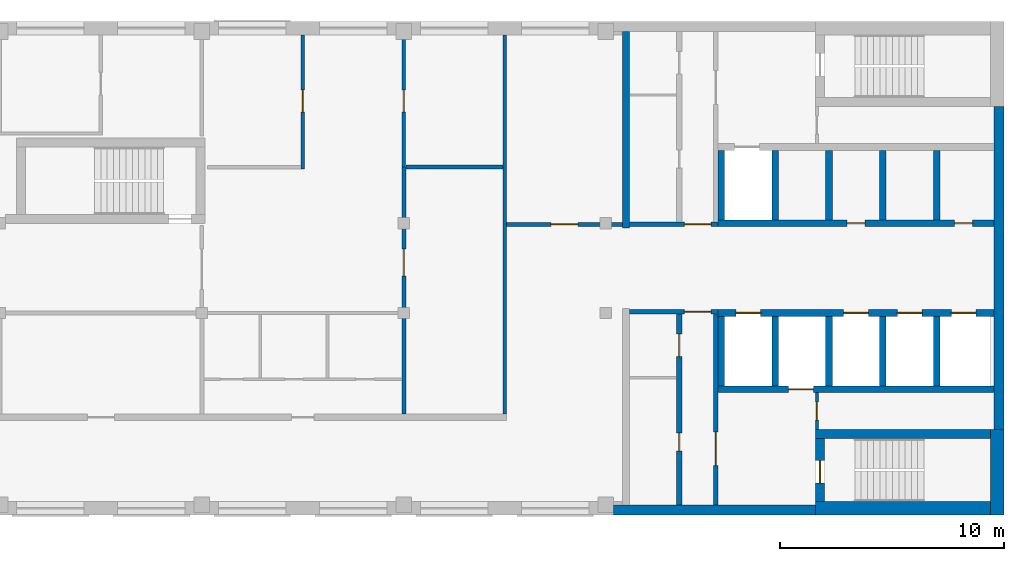
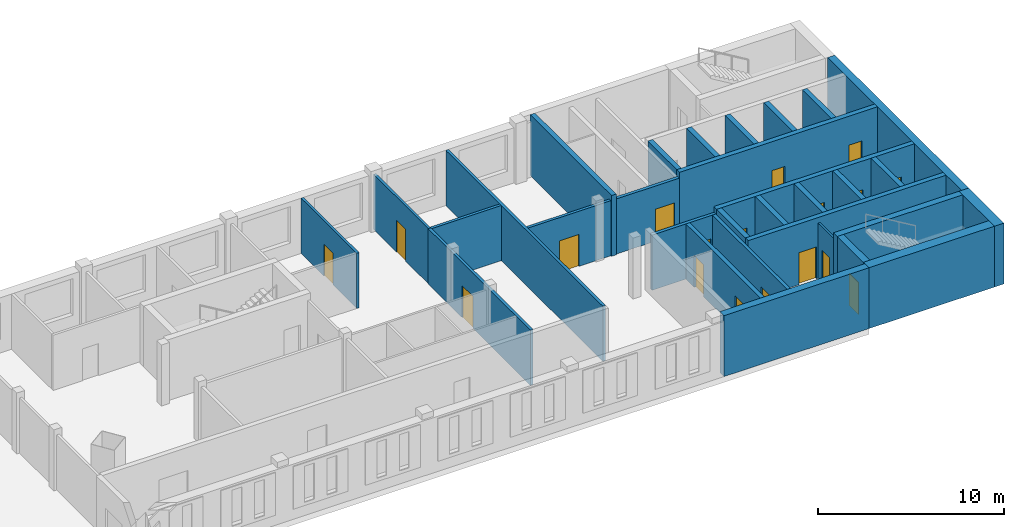
# One storey, part 3 of 5: 31 walls, 18 doors, 18 openings.
"""IFC4 building model written with IfcOpenShell, lengths in metres."""

from ifc_helpers import new_model, si_unit, direction, frame, frame_2d, origin, place, context, subcontext, project, spatial, rectangle, extrude, material, layer, layer_set, type_object, element, fill, save


model = new_model("IFC4")

# Units and contexts
model_context = context("Model", 3, precision=1e-05, world=origin(), true_north=direction((0.0, 1.0)))
body_context = subcontext(model_context, "Body", "Model", "MODEL_VIEW")
ifc_project = project(units=[si_unit("LENGTHUNIT", "METRE"), si_unit("AREAUNIT", "SQUARE_METRE"), si_unit("VOLUMEUNIT", "CUBIC_METRE"), si_unit("PLANEANGLEUNIT", "RADIAN"), si_unit("MASSUNIT", "GRAM", prefix="KILO")], contexts=[model_context])

# Site, building, storey
site_placement = place(None, origin())
site = spatial("IfcSite", under=ifc_project, at=site_placement, CompositionType="ELEMENT")
building_placement = place(site_placement, origin())
building = spatial("IfcBuilding", under=site, at=building_placement, Name="Skarvind Civic Tower", CompositionType="ELEMENT")
storey_placement = place(building_placement, frame((0.0, 0.0, 261.5)))
storey = spatial("IfcBuildingStorey", under=building, at=storey_placement, Name="L62", CompositionType="ELEMENT", Elevation=261.5)

# Wall, opening, door
ifc_material_1 = material(Name="Acoustic gypsum board on steel studs", Category="steel")
ifc_layer_1 = layer(ifc_material_1, 0.175048828125)
ifc_layer_set_1 = layer_set([ifc_layer_1], Name="ACOUSTIC MEETING-ROOM PARTITION 175")
wall_type_1 = type_object("IfcWallType", Name="ACOUSTIC MEETING-ROOM PARTITION 175", PredefinedType="PARTITIONING", material=ifc_layer_set_1)
wall_1_placement = place(storey_placement, frame((81.25, 132.5, 0.0), z_axis=(0.0, 0.0, 1.0), x_axis=(0.0, -1.0, 0.0)))
wall_1 = element("IfcWall", 1, at=wall_1_placement, inside=storey, type_object=wall_type_1, Name="Partition 62.019", PredefinedType="PARTITIONING", context=body_context, shape_type="SweptSolid", body=[
    extrude(rectangle(XDim=11.0, YDim=0.175048828125, at=frame_2d((5.5, 0.0))), origin(), (0.0, 0.0, 1.0), 3.625),
])
opening_1_placement = place(wall_1_placement, frame((3.651611328125, 0.0, 0.0)))
opening_1 = element("IfcOpeningElement", 2, at=opening_1_placement, cuts=wall_1, Name="Opening L62-D014", PredefinedType="OPENING", context=body_context, shape_type="SweptSolid", body=[
    extrude(rectangle(XDim=1.199951171875, YDim=2.10009765625, at=frame_2d((0.60009765625, 1.050048828125))), frame((0.0, 0.097412109375, 0.0), z_axis=(0.0, -1.0, 0.0), x_axis=(1.0, 0.0, 0.0)), (0.0, 0.0, 1.0), 0.195068359375),
])
ifc_material_2 = material(Name="Timber door leaf", Category="wood")
door_type_1 = type_object("IfcDoorType", Name="DOOR 1200X2100 DOUBLE TIMBER", OperationType="NOTDEFINED", PredefinedType="DOOR", material=ifc_material_2)
door_1_placement = place(opening_1_placement, origin())
door_1 = element("IfcDoor", 3, at=door_1_placement, inside=storey, type_object=door_type_1, Name="Door L62-D014", OperationType="DOUBLE_DOOR_SINGLE_SWING", OverallHeight=2.10009765625, OverallWidth=1.199951171875, PredefinedType="DOOR", context=body_context, shape_type="SweptSolid", body=[
    extrude(rectangle(XDim=1.199951171875, YDim=2.10009765625, at=frame_2d((0.60009765625, 1.050048828125))), frame((0.0, 0.02490234375, 0.0), z_axis=(0.0, -1.0, 0.0), x_axis=(1.0, 0.0, 0.0)), (0.0, 0.0, 1.0), 0.050048828125),
])
fill(opening_1, door_1)

# Walls
wall_2_placement = place(storey_placement, frame((85.75, 121.5, 0.0), z_axis=(0.0, 0.0, 1.0), x_axis=(0.0, 1.0, 0.0)))
element("IfcWall", 4, at=wall_2_placement, inside=storey, type_object=wall_type_1, Name="Partition 62.021", PredefinedType="PARTITIONING", context=body_context, shape_type="SweptSolid", body=[
    extrude(rectangle(XDim=16.89990234375, YDim=0.175048828125, at=frame_2d((8.449951171875, 0.0))), origin(), (0.0, 0.0, 1.0), 3.625),
])
wall_3_placement = place(storey_placement, frame((85.662109375, 132.5, 0.0), z_axis=(0.0, 0.0, 1.0), x_axis=(-1.0, 0.0, 0.0)))
element("IfcWall", 5, at=wall_3_placement, inside=storey, type_object=wall_type_1, Name="Partition 62.022", PredefinedType="PARTITIONING", context=body_context, shape_type="SweptSolid", body=[
    extrude(rectangle(XDim=4.32421875, YDim=0.175048828125, at=frame_2d((2.162109375, 0.0))), origin(), (0.0, 0.0, 1.0), 3.625),
])

# Wall, opening, door
wall_4_placement = place(storey_placement, frame((85.837890625, 129.949951171875, 0.0), z_axis=(0.0, 0.0, 1.0), x_axis=(1.0, 0.0, 0.0)))
wall_4 = element("IfcWall", 6, at=wall_4_placement, inside=storey, type_object=wall_type_1, Name="Partition 62.023", PredefinedType="PARTITIONING", context=body_context, shape_type="SweptSolid", body=[
    extrude(rectangle(XDim=5.162109375, YDim=0.175048828125, at=frame_2d((2.5810546875, 0.0))), origin(), (0.0, 0.0, 1.0), 3.625),
])
opening_2_placement = place(wall_4_placement, frame((1.970947265625, 0.0, 0.0)))
opening_2 = element("IfcOpeningElement", 7, at=opening_2_placement, cuts=wall_4, Name="Opening L62-D001", PredefinedType="OPENING", context=body_context, shape_type="SweptSolid", body=[
    extrude(rectangle(XDim=1.199951171875, YDim=2.10009765625, at=frame_2d((0.60009765625, 1.050048828125))), frame((0.0, 0.097412109375, 0.0), z_axis=(0.0, -1.0, 0.0), x_axis=(1.0, 0.0, 0.0)), (0.0, 0.0, 1.0), 0.195068359375),
])
door_2_placement = place(opening_2_placement, origin())
door_2 = element("IfcDoor", 8, at=door_2_placement, inside=storey, type_object=door_type_1, Name="Door L62-D001", OperationType="DOUBLE_DOOR_SINGLE_SWING", OverallHeight=2.10009765625, OverallWidth=1.199951171875, PredefinedType="DOOR", context=body_context, shape_type="SweptSolid", body=[
    extrude(rectangle(XDim=1.199951171875, YDim=2.10009765625, at=frame_2d((0.60009765625, 1.050048828125))), frame((0.0, 0.02490234375, 0.0), z_axis=(0.0, -1.0, 0.0), x_axis=(1.0, 0.0, 0.0)), (0.0, 0.0, 1.0), 0.050048828125),
])
fill(opening_2, door_2)

ifc_material_3 = material(Name="Fire-rated masonry partition", Category="masonry")
ifc_layer_2 = layer(ifc_material_3, 0.199951171875)
ifc_layer_set_2 = layer_set([ifc_layer_2], Name="Core enclosure wall 200")
wall_type_2 = type_object("IfcWallType", Name="Core enclosure wall 200", PredefinedType="PARTITIONING", material=ifc_layer_set_2)
wall_5_placement = place(storey_placement, frame((95.25, 126.050048828125, 0.0), z_axis=(0.0, 0.0, 1.0), x_axis=(-1.0, 0.0, 0.0)))
wall_5 = element("IfcWall", 9, at=wall_5_placement, inside=storey, type_object=wall_type_2, Name="Core wall C1", PredefinedType="PARTITIONING", context=body_context, shape_type="SweptSolid", body=[
    extrude(rectangle(XDim=3.949951171875, YDim=0.199951171875, at=frame_2d((1.97509765625, 0.0))), origin(), (0.0, 0.0, 1.0), 3.625),
])
opening_3_placement = place(wall_5_placement, frame((0.300048828125, 0.0, 0.0)))
opening_3 = element("IfcOpeningElement", 10, at=opening_3_placement, cuts=wall_5, Name="Opening D-L62-C1-07", PredefinedType="OPENING", context=body_context, shape_type="SweptSolid", body=[
    extrude(rectangle(XDim=1.199951171875, YDim=2.10009765625, at=frame_2d((0.60009765625, 1.050048828125))), frame((0.0, 0.10986328125, 0.0), z_axis=(0.0, -1.0, 0.0), x_axis=(1.0, 0.0, 0.0)), (0.0, 0.0, 1.0), 0.219970703125),
])
ifc_material_4 = material(Name="Fire-rated steel door", Category="steel")
door_type_2 = type_object("IfcDoorType", Name="Core lobby door 1200", OperationType="NOTDEFINED", PredefinedType="DOOR", material=ifc_material_4)
door_3_placement = place(opening_3_placement, origin())
door_3 = element("IfcDoor", 11, at=door_3_placement, inside=storey, type_object=door_type_2, Name="Fire door", OperationType="DOUBLE_DOOR_SINGLE_SWING", OverallHeight=2.10009765625, OverallWidth=1.199951171875, PredefinedType="DOOR", context=body_context, shape_type="SweptSolid", body=[
    extrude(rectangle(XDim=1.199951171875, YDim=2.10009765625, at=frame_2d((0.60009765625, 1.050048828125))), frame((0.0, 0.02490234375, 0.0), z_axis=(0.0, -1.0, 0.0), x_axis=(1.0, 0.0, 0.0)), (0.0, 0.0, 1.0), 0.050048828125),
])
fill(opening_3, door_3)

wall_6_placement = place(storey_placement, frame((95.14990234375, 117.449951171875, 0.0), z_axis=(0.0, 0.0, 1.0), x_axis=(0.0, 1.0, 0.0)))
wall_6 = element("IfcWall", 12, at=wall_6_placement, inside=storey, type_object=wall_type_2, Name="Core wall C1", PredefinedType="PARTITIONING", context=body_context, shape_type="SweptSolid", body=[
    extrude(rectangle(XDim=8.5, YDim=0.199951171875, at=frame_2d((4.25, 0.0))), origin(), (0.0, 0.0, 1.0), 3.625),
])
opening_4_placement = place(wall_6_placement, frame((1.75, 0.0, 0.0)))
opening_4 = element("IfcOpeningElement", 13, at=opening_4_placement, cuts=wall_6, Name="Opening D-L62-C1-08", PredefinedType="OPENING", context=body_context, shape_type="SweptSolid", body=[
    extrude(rectangle(XDim=1.5, YDim=2.10009765625, at=frame_2d((0.75, 1.050048828125))), frame((0.0, 0.10986328125, 0.0), z_axis=(0.0, -1.0, 0.0), x_axis=(1.0, 0.0, 0.0)), (0.0, 0.0, 1.0), 0.219970703125),
])
door_type_3 = type_object("IfcDoorType", Name="Fire door 1500", OperationType="NOTDEFINED", PredefinedType="DOOR", material=ifc_material_4)
door_4_placement = place(opening_4_placement, origin())
door_4 = element("IfcDoor", 14, at=door_4_placement, inside=storey, type_object=door_type_3, Name="Fire door", OperationType="DOUBLE_DOOR_SINGLE_SWING", OverallHeight=2.10009765625, OverallWidth=1.5, PredefinedType="DOOR", context=body_context, shape_type="SweptSolid", body=[
    extrude(rectangle(XDim=1.5, YDim=2.10009765625, at=frame_2d((0.75, 1.050048828125))), frame((0.0, 0.02490234375, 0.0), z_axis=(0.0, -1.0, 0.0), x_axis=(1.0, 0.0, 0.0)), (0.0, 0.0, 1.0), 0.050048828125),
])
fill(opening_4, door_4)

wall_7_placement = place(storey_placement, frame((91.300048828125, 129.949951171875, 0.0), z_axis=(0.0, 0.0, 1.0), x_axis=(1.0, 0.0, 0.0)))
wall_7 = element("IfcWall", 15, at=wall_7_placement, inside=storey, type_object=wall_type_2, Name="Core wall C1", PredefinedType="PARTITIONING", context=body_context, shape_type="SweptSolid", body=[
    extrude(rectangle(XDim=3.949951171875, YDim=0.199951171875, at=frame_2d((1.97509765625, 0.0))), origin(), (0.0, 0.0, 1.0), 3.625),
])
opening_5_placement = place(wall_7_placement, frame((2.449951171875, 0.0, 0.0)))
opening_5 = element("IfcOpeningElement", 16, at=opening_5_placement, cuts=wall_7, Name="Opening D-L62-C1-13", PredefinedType="OPENING", context=body_context, shape_type="SweptSolid", body=[
    extrude(rectangle(XDim=1.199951171875, YDim=2.10009765625, at=frame_2d((0.60009765625, 1.050048828125))), frame((0.0, 0.10986328125, 0.0), z_axis=(0.0, -1.0, 0.0), x_axis=(1.0, 0.0, 0.0)), (0.0, 0.0, 1.0), 0.219970703125),
])
door_5_placement = place(opening_5_placement, origin())
door_5 = element("IfcDoor", 17, at=door_5_placement, inside=storey, type_object=door_type_2, Name="Fire door", OperationType="DOUBLE_DOOR_SINGLE_SWING", OverallHeight=2.10009765625, OverallWidth=1.199951171875, PredefinedType="DOOR", context=body_context, shape_type="SweptSolid", body=[
    extrude(rectangle(XDim=1.199951171875, YDim=2.10009765625, at=frame_2d((0.60009765625, 1.050048828125))), frame((0.0, 0.02490234375, 0.0), z_axis=(0.0, -1.0, 0.0), x_axis=(1.0, 0.0, 0.0)), (0.0, 0.0, 1.0), 0.050048828125),
])
fill(opening_5, door_5)

# Wall, openings, doors
ifc_material_5 = material(Name="Concrete C60", Category="concrete")
ifc_layer_3 = layer(ifc_material_5, 0.300048828125)
ifc_layer_set_3 = layer_set([ifc_layer_3], Name="Core wall 300 C60")
wall_type_3 = type_object("IfcWallType", Name="Core wall 300 C60", PredefinedType="SHEAR", material=ifc_layer_set_3)
wall_8_placement = place(storey_placement, frame((107.550048828125, 130.0, 0.0), z_axis=(0.0, 0.0, 1.0), x_axis=(-1.0, 0.0, 0.0)))
wall_8 = element("IfcWall", 18, at=wall_8_placement, inside=storey, type_object=wall_type_3, Name="Core wall C1 south lift row front L62", PredefinedType="SHEAR", context=body_context, shape_type="SweptSolid", body=[
    extrude(rectangle(XDim=12.300048828125, YDim=0.300048828125, at=frame_2d((6.14990234375, 0.0))), origin(), (0.0, 0.0, 1.0), 4.0),
])
opening_6_placement = place(wall_8_placement, frame((0.949951171875, 0.0, 0.0)))
opening_6 = element("IfcOpeningElement", 19, at=opening_6_placement, cuts=wall_8, Name="Opening D-L62-C1-05", PredefinedType="OPENING", context=body_context, shape_type="SweptSolid", body=[
    extrude(rectangle(XDim=0.800048828125, YDim=2.10009765625, at=frame_2d((0.39990234375, 1.050048828125))), frame((0.0, 0.159912109375, 0.0), z_axis=(0.0, -1.0, 0.0), x_axis=(1.0, 0.0, 0.0)), (0.0, 0.0, 1.0), 0.320068359375),
])
opening_7_placement = place(wall_8_placement, frame((5.75, 0.0, 0.0)))
opening_7 = element("IfcOpeningElement", 20, at=opening_7_placement, cuts=wall_8, Name="Opening D-L62-C1-06", PredefinedType="OPENING", context=body_context, shape_type="SweptSolid", body=[
    extrude(rectangle(XDim=0.800048828125, YDim=2.10009765625, at=frame_2d((0.39990234375, 1.050048828125))), frame((0.0, 0.159912109375, 0.0), z_axis=(0.0, -1.0, 0.0), x_axis=(1.0, 0.0, 0.0)), (0.0, 0.0, 1.0), 0.320068359375),
])
door_type_4 = type_object("IfcDoorType", Name="Core riser door 800", OperationType="NOTDEFINED", PredefinedType="DOOR", material=ifc_material_4)
door_6_placement = place(opening_6_placement, origin())
door_6 = element("IfcDoor", 21, at=door_6_placement, inside=storey, type_object=door_type_4, Name="Riser door", OperationType="SINGLE_SWING_LEFT", OverallHeight=2.10009765625, OverallWidth=0.800048828125, PredefinedType="DOOR", context=body_context, shape_type="SweptSolid", body=[
    extrude(rectangle(XDim=0.800048828125, YDim=2.10009765625, at=frame_2d((0.39990234375, 1.050048828125))), frame((0.0, 0.02490234375, 0.0), z_axis=(0.0, -1.0, 0.0), x_axis=(1.0, 0.0, 0.0)), (0.0, 0.0, 1.0), 0.050048828125),
])
fill(opening_6, door_6)
door_7_placement = place(opening_7_placement, origin())
door_7 = element("IfcDoor", 22, at=door_7_placement, inside=storey, type_object=door_type_4, Name="Riser door", OperationType="SINGLE_SWING_RIGHT", OverallHeight=2.10009765625, OverallWidth=0.800048828125, PredefinedType="DOOR", context=body_context, shape_type="SweptSolid", body=[
    extrude(rectangle(XDim=0.800048828125, YDim=2.10009765625, at=frame_2d((0.39990234375, 1.050048828125))), frame((0.0, 0.02490234375, 0.0), z_axis=(0.0, -1.0, 0.0), x_axis=(1.0, 0.0, 0.0)), (0.0, 0.0, 1.0), 0.050048828125),
])
fill(opening_7, door_7)

# Walls
for number, where, z_axis, x_axis, name in (
    (23, (105.0, 133.25, 0.0), (0.0, 0.0, 1.0), (0.0, -1.0, 0.0), "Core wall C1 south lift row division 1 L62"),
    (24, (102.60009765625, 133.25, 0.0), (0.0, 0.0, 1.0), (0.0, -1.0, 0.0), "Core wall C1 south lift row division 2 L62"),
    (25, (100.199951171875, 133.25, 0.0), (0.0, 0.0, 1.0), (0.0, -1.0, 0.0), "Core wall C1 south lift row division 3 L62"),
    (26, (97.800048828125, 133.25, 0.0), (0.0, 0.0, 1.0), (0.0, -1.0, 0.0), "Core wall C1 south lift row division 4 L62"),
    (27, (95.39990234375, 133.25, 0.0), (0.0, 0.0, 1.0), (0.0, -1.0, 0.0), "Core wall C1 south lift row division 5 L62"),
):
    element("IfcWall", number, at=place(storey_placement, frame(where, z_axis=z_axis, x_axis=x_axis)), inside=storey, type_object=wall_type_3, Name=name, PredefinedType="SHEAR", context=body_context, shape_type="SweptSolid", body=[
        extrude(rectangle(XDim=3.10009765625, YDim=0.300048828125, at=frame_2d((1.550048828125, 0.0))), origin(), (0.0, 0.0, 1.0), 4.0),
    ])

# Wall, openings, doors
wall_9_placement = place(storey_placement, frame((107.550048828125, 126.0, 0.0), z_axis=(0.0, 0.0, 1.0), x_axis=(-1.0, 0.0, 0.0)))
wall_9 = element("IfcWall", 28, at=wall_9_placement, inside=storey, type_object=wall_type_3, Name="Core wall C1 north lift row front L62", PredefinedType="SHEAR", context=body_context, shape_type="SweptSolid", body=[
    extrude(rectangle(XDim=12.300048828125, YDim=0.300048828125, at=frame_2d((6.14990234375, 0.0))), origin(), (0.0, 0.0, 1.0), 4.0),
])
opening_8_placement = place(wall_9_placement, frame((0.800048828125, 0.0, 0.0)))
opening_8 = element("IfcOpeningElement", 29, at=opening_8_placement, cuts=wall_9, Name="Opening LD64101", PredefinedType="OPENING", context=body_context, shape_type="SweptSolid", body=[
    extrude(rectangle(XDim=1.10009765625, YDim=2.10009765625, at=frame_2d((0.550048828125, 1.050048828125))), frame((0.0, 0.159912109375, 0.0), z_axis=(0.0, -1.0, 0.0), x_axis=(1.0, 0.0, 0.0)), (0.0, 0.0, 1.0), 0.320068359375),
])
opening_9_placement = place(wall_9_placement, frame((3.199951171875, 0.0, 0.0)))
opening_9 = element("IfcOpeningElement", 30, at=opening_9_placement, cuts=wall_9, Name="Opening LD64102", PredefinedType="OPENING", context=body_context, shape_type="SweptSolid", body=[
    extrude(rectangle(XDim=1.10009765625, YDim=2.10009765625, at=frame_2d((0.550048828125, 1.050048828125))), frame((0.0, 0.159912109375, 0.0), z_axis=(0.0, -1.0, 0.0), x_axis=(1.0, 0.0, 0.0)), (0.0, 0.0, 1.0), 0.320068359375),
])
opening_10_placement = place(wall_9_placement, frame((5.60009765625, 0.0, 0.0)))
opening_10 = element("IfcOpeningElement", 31, at=opening_10_placement, cuts=wall_9, Name="Opening LD64103", PredefinedType="OPENING", context=body_context, shape_type="SweptSolid", body=[
    extrude(rectangle(XDim=1.10009765625, YDim=2.10009765625, at=frame_2d((0.550048828125, 1.050048828125))), frame((0.0, 0.159912109375, 0.0), z_axis=(0.0, -1.0, 0.0), x_axis=(1.0, 0.0, 0.0)), (0.0, 0.0, 1.0), 0.320068359375),
])
opening_11_placement = place(wall_9_placement, frame((10.39990234375, 0.0, 0.0)))
opening_11 = element("IfcOpeningElement", 32, at=opening_11_placement, cuts=wall_9, Name="Opening LD64105", PredefinedType="OPENING", context=body_context, shape_type="SweptSolid", body=[
    extrude(rectangle(XDim=1.10009765625, YDim=2.10009765625, at=frame_2d((0.550048828125, 1.050048828125))), frame((0.0, 0.159912109375, 0.0), z_axis=(0.0, -1.0, 0.0), x_axis=(1.0, 0.0, 0.0)), (0.0, 0.0, 1.0), 0.320068359375),
])
ifc_material_6 = material(Name="Stainless steel landing door", Category="steel")
door_type_5 = type_object("IfcDoorType", Name="Lift landing door 1100", OperationType="DOUBLE_DOOR_SLIDING", PredefinedType="DOOR", material=ifc_material_6)
door_8_placement = place(opening_8_placement, origin())
door_8 = element("IfcDoor", 33, at=door_8_placement, inside=storey, type_object=door_type_5, Name="Lift landing door", OperationType="DOUBLE_DOOR_SLIDING", OverallHeight=2.10009765625, OverallWidth=1.10009765625, PredefinedType="DOOR", context=body_context, shape_type="SweptSolid", body=[
    extrude(rectangle(XDim=1.10009765625, YDim=2.10009765625, at=frame_2d((0.550048828125, 1.050048828125))), frame((0.0, 0.02490234375, 0.0), z_axis=(0.0, -1.0, 0.0), x_axis=(1.0, 0.0, 0.0)), (0.0, 0.0, 1.0), 0.050048828125),
])
fill(opening_8, door_8)
door_9_placement = place(opening_9_placement, origin())
door_9 = element("IfcDoor", 34, at=door_9_placement, inside=storey, type_object=door_type_5, Name="Lift landing door", OperationType="DOUBLE_DOOR_SLIDING", OverallHeight=2.10009765625, OverallWidth=1.10009765625, PredefinedType="DOOR", context=body_context, shape_type="SweptSolid", body=[
    extrude(rectangle(XDim=1.10009765625, YDim=2.10009765625, at=frame_2d((0.550048828125, 1.050048828125))), frame((0.0, 0.02490234375, 0.0), z_axis=(0.0, -1.0, 0.0), x_axis=(1.0, 0.0, 0.0)), (0.0, 0.0, 1.0), 0.050048828125),
])
fill(opening_9, door_9)
door_10_placement = place(opening_10_placement, origin())
door_10 = element("IfcDoor", 35, at=door_10_placement, inside=storey, type_object=door_type_5, Name="Lift landing door", OperationType="DOUBLE_DOOR_SLIDING", OverallHeight=2.10009765625, OverallWidth=1.10009765625, PredefinedType="DOOR", context=body_context, shape_type="SweptSolid", body=[
    extrude(rectangle(XDim=1.10009765625, YDim=2.10009765625, at=frame_2d((0.550048828125, 1.050048828125))), frame((0.0, 0.02490234375, 0.0), z_axis=(0.0, -1.0, 0.0), x_axis=(1.0, 0.0, 0.0)), (0.0, 0.0, 1.0), 0.050048828125),
])
fill(opening_10, door_10)
door_11_placement = place(opening_11_placement, origin())
door_11 = element("IfcDoor", 36, at=door_11_placement, inside=storey, type_object=door_type_5, Name="Lift landing door", OperationType="DOUBLE_DOOR_SLIDING", OverallHeight=2.10009765625, OverallWidth=1.10009765625, PredefinedType="DOOR", context=body_context, shape_type="SweptSolid", body=[
    extrude(rectangle(XDim=1.10009765625, YDim=2.10009765625, at=frame_2d((0.550048828125, 1.050048828125))), frame((0.0, 0.02490234375, 0.0), z_axis=(0.0, -1.0, 0.0), x_axis=(1.0, 0.0, 0.0)), (0.0, 0.0, 1.0), 0.050048828125),
])
fill(opening_11, door_11)

# Wall, opening, door
wall_10_placement = place(storey_placement, frame((107.550048828125, 122.60009765625, 0.0), z_axis=(0.0, 0.0, 1.0), x_axis=(-1.0, 0.0, 0.0)))
wall_10 = element("IfcWall", 37, at=wall_10_placement, inside=storey, type_object=wall_type_3, Name="Core wall C1 north lift row back L62", PredefinedType="SHEAR", context=body_context, shape_type="SweptSolid", body=[
    extrude(rectangle(XDim=12.300048828125, YDim=0.300048828125, at=frame_2d((6.14990234375, 0.0))), origin(), (0.0, 0.0, 1.0), 4.0),
])
opening_12_placement = place(wall_10_placement, frame((8.050048828125, 0.0, 0.0)))
opening_12 = element("IfcOpeningElement", 38, at=opening_12_placement, cuts=wall_10, Name="Opening LD64104", PredefinedType="OPENING", context=body_context, shape_type="SweptSolid", body=[
    extrude(rectangle(XDim=1.10009765625, YDim=2.10009765625, at=frame_2d((0.550048828125, 1.050048828125))), frame((0.0, 0.159912109375, 0.0), z_axis=(0.0, -1.0, 0.0), x_axis=(1.0, 0.0, 0.0)), (0.0, 0.0, 1.0), 0.320068359375),
])
door_12_placement = place(opening_12_placement, origin())
door_12 = element("IfcDoor", 39, at=door_12_placement, inside=storey, type_object=door_type_5, Name="Lift landing door", OperationType="DOUBLE_DOOR_SLIDING", OverallHeight=2.10009765625, OverallWidth=1.10009765625, PredefinedType="DOOR", context=body_context, shape_type="SweptSolid", body=[
    extrude(rectangle(XDim=1.10009765625, YDim=2.10009765625, at=frame_2d((0.550048828125, 1.050048828125))), frame((0.0, 0.02490234375, 0.0), z_axis=(0.0, -1.0, 0.0), x_axis=(1.0, 0.0, 0.0)), (0.0, 0.0, 1.0), 0.050048828125),
])
fill(opening_12, door_12)

# Walls
for number, where, z_axis, x_axis, name in (
    (40, (105.0, 125.85009765625, 0.0), (0.0, 0.0, 1.0), (0.0, -1.0, 0.0), "Core wall C1 north lift row division 1 L62"),
    (41, (102.60009765625, 125.85009765625, 0.0), (0.0, 0.0, 1.0), (0.0, -1.0, 0.0), "Core wall C1 north lift row division 2 L62"),
    (42, (100.199951171875, 125.85009765625, 0.0), (0.0, 0.0, 1.0), (0.0, -1.0, 0.0), "Core wall C1 north lift row division 3 L62"),
    (43, (97.800048828125, 125.85009765625, 0.0), (0.0, 0.0, 1.0), (0.0, -1.0, 0.0), "Core wall C1 north lift row division 4 L62"),
    (44, (95.39990234375, 125.85009765625, 0.0), (0.0, 0.0, 1.0), (0.0, -1.0, 0.0), "Core wall C1 north lift row division 5 L62"),
):
    element("IfcWall", number, at=place(storey_placement, frame(where, z_axis=z_axis, x_axis=x_axis)), inside=storey, type_object=wall_type_3, Name=name, PredefinedType="SHEAR", context=body_context, shape_type="SweptSolid", body=[
        extrude(rectangle(XDim=3.10009765625, YDim=0.300048828125, at=frame_2d((1.550048828125, 0.0))), origin(), (0.0, 0.0, 1.0), 4.0),
    ])
wall_11_placement = place(storey_placement, frame((91.14990234375, 138.550048828125, 0.0), z_axis=(0.0, 0.0, 1.0), x_axis=(0.0, -1.0, 0.0)))
element("IfcWall", 45, at=wall_11_placement, inside=storey, type_object=wall_type_3, Name="Core wall C1 south inner face L62", PredefinedType="SHEAR", context=body_context, shape_type="SweptSolid", body=[
    extrude(rectangle(XDim=8.75, YDim=0.300048828125, at=frame_2d((4.375, 0.0))), origin(), (0.0, 0.0, 1.0), 4.0),
])
ifc_layer_4 = layer(ifc_material_5, 0.39990234375)
ifc_layer_set_4 = layer_set([ifc_layer_4], Name="Core wall 400 C60")
wall_type_4 = type_object("IfcWallType", Name="Core wall 400 C60", PredefinedType="SHEAR", material=ifc_layer_set_4)
wall_12_placement = place(storey_placement, frame((107.39990234375, 120.60009765625, 0.0), z_axis=(0.0, 0.0, 1.0), x_axis=(-1.0, 0.0, 0.0)))
element("IfcWall", 46, at=wall_12_placement, inside=storey, type_object=wall_type_4, Name="Core wall C1 north stair inner L62", PredefinedType="SHEAR", context=body_context, shape_type="SweptSolid", body=[
    extrude(rectangle(XDim=7.7998046875, YDim=0.39990234375, at=frame_2d((3.89990234375, 0.0))), origin(), (0.0, 0.0, 1.0), 4.0),
])

# Wall, opening, door
wall_13_placement = place(storey_placement, frame((99.800048828125, 120.39990234375, 0.0), z_axis=(0.0, 0.0, 1.0), x_axis=(0.0, -1.0, 0.0)))
wall_13 = element("IfcWall", 47, at=wall_13_placement, inside=storey, type_object=wall_type_4, Name="Core wall C1 north stair end L62", PredefinedType="SHEAR", context=body_context, shape_type="SweptSolid", body=[
    extrude(rectangle(XDim=2.7998046875, YDim=0.39990234375, at=frame_2d((1.39990234375, 0.0))), origin(), (0.0, 0.0, 1.0), 4.0),
])
opening_13_placement = place(wall_13_placement, frame((0.97509765625, 0.0, 0.0)))
opening_13 = element("IfcOpeningElement", 48, at=opening_13_placement, cuts=wall_13, Name="Opening D-L62-C1-09", PredefinedType="OPENING", context=body_context, shape_type="SweptSolid", body=[
    extrude(rectangle(XDim=1.0, YDim=2.10009765625, at=frame_2d((0.5, 1.050048828125))), frame((0.0, 0.2099609375, 0.0), z_axis=(0.0, -1.0, 0.0), x_axis=(1.0, 0.0, 0.0)), (0.0, 0.0, 1.0), 0.419921875),
])
door_type_6 = type_object("IfcDoorType", Name="Fire door 1000", OperationType="NOTDEFINED", PredefinedType="DOOR", material=ifc_material_4)
door_13_placement = place(opening_13_placement, origin())
door_13 = element("IfcDoor", 49, at=door_13_placement, inside=storey, type_object=door_type_6, Name="Fire door", OperationType="SINGLE_SWING_LEFT", OverallHeight=2.10009765625, OverallWidth=1.0, PredefinedType="DOOR", context=body_context, shape_type="SweptSolid", body=[
    extrude(rectangle(XDim=1.0, YDim=2.10009765625, at=frame_2d((0.5, 1.050048828125))), frame((0.0, 0.02490234375, 0.0), z_axis=(0.0, -1.0, 0.0), x_axis=(1.0, 0.0, 0.0)), (0.0, 0.0, 1.0), 0.050048828125),
])
fill(opening_13, door_13)

# Walls
ifc_layer_5 = layer(ifc_material_5, 0.449951171875)
ifc_layer_set_5 = layer_set([ifc_layer_5], Name="Core wall 450 C60")
wall_type_5 = type_object("IfcWallType", Name="Core wall 450 C60", PredefinedType="SHEAR", material=ifc_layer_set_5)
wall_14_placement = place(storey_placement, frame((107.77490234375, 135.199951171875, 0.0), z_axis=(0.0, 0.0, 1.0), x_axis=(0.0, -1.0, 0.0)))
element("IfcWall", 50, at=wall_14_placement, inside=storey, type_object=wall_type_5, Name="Core wall C1 tip between the stairs L62", PredefinedType="SHEAR", context=body_context, shape_type="SweptSolid", body=[
    extrude(rectangle(XDim=14.39990234375, YDim=0.449951171875, at=frame_2d((7.199951171875, 0.0))), origin(), (0.0, 0.0, 1.0), 4.0),
])
wall_15_placement = place(storey_placement, frame((99.60009765625, 117.22509765625, 0.0), z_axis=(0.0, 0.0, 1.0), x_axis=(-1.0, 0.0, 0.0)))
element("IfcWall", 51, at=wall_15_placement, inside=storey, type_object=wall_type_5, Name="Core wall C1 north side L62", PredefinedType="SHEAR", context=body_context, shape_type="SweptSolid", body=[
    extrude(rectangle(XDim=9.0, YDim=0.449951171875, at=frame_2d((4.5, 0.0))), origin(), (0.0, 0.0, 1.0), 4.0),
])
ifc_layer_6 = layer(ifc_material_5, 0.60009765625)
ifc_layer_set_6 = layer_set([ifc_layer_6], Name="Core wall 600 C60")
wall_type_6 = type_object("IfcWallType", Name="Core wall 600 C60", PredefinedType="SHEAR", material=ifc_layer_set_6)
wall_16_placement = place(storey_placement, frame((107.699951171875, 120.800048828125, 0.0), z_axis=(0.0, 0.0, 1.0), x_axis=(0.0, -1.0, 0.0)))
element("IfcWall", 52, at=wall_16_placement, inside=storey, type_object=wall_type_6, Name="Core wall C1 tip at the north stair L62", PredefinedType="SHEAR", context=body_context, shape_type="SweptSolid", body=[
    extrude(rectangle(XDim=3.800048828125, YDim=0.60009765625, at=frame_2d((1.89990234375, 0.0))), origin(), (0.0, 0.0, 1.0), 4.0),
])
wall_17_placement = place(storey_placement, frame((107.39990234375, 117.300048828125, 0.0), z_axis=(0.0, 0.0, 1.0), x_axis=(-1.0, 0.0, 0.0)))
element("IfcWall", 53, at=wall_17_placement, inside=storey, type_object=wall_type_6, Name="Core wall C1 north side at the stair L62", PredefinedType="SHEAR", context=body_context, shape_type="SweptSolid", body=[
    extrude(rectangle(XDim=7.7998046875, YDim=0.60009765625, at=frame_2d((3.89990234375, 0.0))), origin(), (0.0, 0.0, 1.0), 4.0),
])

# Wall, opening, door
ifc_material_7 = material(Name="Plasterboard partition on steel studs", Category="steel")
ifc_layer_7 = layer(ifc_material_7, 0.14990234375)
ifc_layer_set_7 = layer_set([ifc_layer_7], Name="PARTITION 150")
wall_type_7 = type_object("IfcWallType", Name="PARTITION 150", PredefinedType="PARTITIONING", material=ifc_layer_set_7)
wall_18_placement = place(storey_placement, frame((76.75, 138.39990234375, 0.0), z_axis=(0.0, 0.0, 1.0), x_axis=(0.0, -1.0, 0.0)))
wall_18 = element("IfcWall", 54, at=wall_18_placement, inside=storey, type_object=wall_type_7, Name="Partition 62.017", PredefinedType="PARTITIONING", context=body_context, shape_type="SweptSolid", body=[
    extrude(rectangle(XDim=5.974853515625, YDim=0.14990234375, at=frame_2d((2.9873046875, 0.0))), origin(), (0.0, 0.0, 1.0), 3.625),
])
opening_14_placement = place(wall_18_placement, frame((2.449951171875, 0.0, 0.0)))
opening_14 = element("IfcOpeningElement", 55, at=opening_14_placement, cuts=wall_18, Name="Opening L62-D007", PredefinedType="OPENING", context=body_context, shape_type="SweptSolid", body=[
    extrude(rectangle(XDim=1.0, YDim=2.10009765625, at=frame_2d((0.5, 1.050048828125))), frame((0.0, 0.0849609375, 0.0), z_axis=(0.0, -1.0, 0.0), x_axis=(1.0, 0.0, 0.0)), (0.0, 0.0, 1.0), 0.169921875),
])
door_type_7 = type_object("IfcDoorType", Name="D1 1000x2100", OperationType="NOTDEFINED", PredefinedType="DOOR", material=ifc_material_2)
door_14_placement = place(opening_14_placement, origin())
door_14 = element("IfcDoor", 56, at=door_14_placement, inside=storey, type_object=door_type_7, Name="Door L62-D007", OperationType="SINGLE_SWING_LEFT", OverallHeight=2.10009765625, OverallWidth=1.0, PredefinedType="DOOR", context=body_context, shape_type="SweptSolid", body=[
    extrude(rectangle(XDim=1.0, YDim=2.10009765625, at=frame_2d((0.5, 1.050048828125))), frame((0.0, 0.02490234375, 0.0), z_axis=(0.0, -1.0, 0.0), x_axis=(1.0, 0.0, 0.0)), (0.0, 0.0, 1.0), 0.050048828125),
])
fill(opening_14, door_14)

wall_19_placement = place(storey_placement, frame((81.25, 132.5, 0.0), z_axis=(0.0, 0.0, 1.0), x_axis=(0.0, 1.0, 0.0)))
wall_19 = element("IfcWall", 57, at=wall_19_placement, inside=storey, type_object=wall_type_7, Name="Partition 62.020", PredefinedType="PARTITIONING", context=body_context, shape_type="SweptSolid", body=[
    extrude(rectangle(XDim=5.89990234375, YDim=0.14990234375, at=frame_2d((2.949951171875, 0.0))), origin(), (0.0, 0.0, 1.0), 3.625),
])
opening_15_placement = place(wall_19_placement, frame((2.449951171875, 0.0, 0.0)))
opening_15 = element("IfcOpeningElement", 58, at=opening_15_placement, cuts=wall_19, Name="Opening L62-D006", PredefinedType="OPENING", context=body_context, shape_type="SweptSolid", body=[
    extrude(rectangle(XDim=1.0, YDim=2.10009765625, at=frame_2d((0.5, 1.050048828125))), frame((0.0, 0.0849609375, 0.0), z_axis=(0.0, -1.0, 0.0), x_axis=(1.0, 0.0, 0.0)), (0.0, 0.0, 1.0), 0.169921875),
])
door_15_placement = place(opening_15_placement, origin())
door_15 = element("IfcDoor", 59, at=door_15_placement, inside=storey, type_object=door_type_7, Name="Door L62-D006", OperationType="SINGLE_SWING_LEFT", OverallHeight=2.10009765625, OverallWidth=1.0, PredefinedType="DOOR", context=body_context, shape_type="SweptSolid", body=[
    extrude(rectangle(XDim=1.0, YDim=2.10009765625, at=frame_2d((0.5, 1.050048828125))), frame((0.0, 0.02490234375, 0.0), z_axis=(0.0, -1.0, 0.0), x_axis=(1.0, 0.0, 0.0)), (0.0, 0.0, 1.0), 0.050048828125),
])
fill(opening_15, door_15)

ifc_layer_8 = layer(ifc_material_3, 0.125)
ifc_layer_set_8 = layer_set([ifc_layer_8], Name="Riser wall 125")
wall_type_8 = type_object("IfcWallType", Name="Riser wall 125", PredefinedType="PARTITIONING", material=ifc_layer_set_8)
wall_20_placement = place(storey_placement, frame((99.66259765625, 120.800048828125, 0.0), z_axis=(0.0, 0.0, 1.0), x_axis=(0.0, 1.0, 0.0)))
wall_20 = element("IfcWall", 60, at=wall_20_placement, inside=storey, type_object=wall_type_8, Name="Core wall C1", PredefinedType="PARTITIONING", context=body_context, shape_type="SweptSolid", body=[
    extrude(rectangle(XDim=1.64990234375, YDim=0.125, at=frame_2d((0.824951171875, 0.0))), origin(), (0.0, 0.0, 1.0), 3.625),
])
opening_16_placement = place(wall_20_placement, frame((0.425048828125, 0.0, 0.0)))
opening_16 = element("IfcOpeningElement", 61, at=opening_16_placement, cuts=wall_20, Name="Opening D-L62-C1-10", PredefinedType="OPENING", context=body_context, shape_type="SweptSolid", body=[
    extrude(rectangle(XDim=0.800048828125, YDim=2.10009765625, at=frame_2d((0.39990234375, 1.050048828125))), frame((0.0, 0.072509765625, 0.0), z_axis=(0.0, -1.0, 0.0), x_axis=(1.0, 0.0, 0.0)), (0.0, 0.0, 1.0), 0.14501953125),
])
door_16_placement = place(opening_16_placement, origin())
door_16 = element("IfcDoor", 62, at=door_16_placement, inside=storey, type_object=door_type_4, Name="Riser door", OperationType="SINGLE_SWING_RIGHT", OverallHeight=2.10009765625, OverallWidth=0.800048828125, PredefinedType="DOOR", context=body_context, shape_type="SweptSolid", body=[
    extrude(rectangle(XDim=0.800048828125, YDim=2.10009765625, at=frame_2d((0.39990234375, 1.050048828125))), frame((0.0, 0.02490234375, 0.0), z_axis=(0.0, -1.0, 0.0), x_axis=(1.0, 0.0, 0.0)), (0.0, 0.0, 1.0), 0.050048828125),
])
fill(opening_16, door_16)

# Wall, openings, doors
ifc_layer_9 = layer(ifc_material_3, 0.25)
ifc_layer_set_9 = layer_set([ifc_layer_9], Name="Service block wall 250")
wall_type_9 = type_object("IfcWallType", Name="Service block wall 250", PredefinedType="PARTITIONING", material=ifc_layer_set_9)
wall_21_placement = place(storey_placement, frame((93.52490234375, 117.449951171875, 0.0), z_axis=(0.0, 0.0, 1.0), x_axis=(0.0, 1.0, 0.0)))
wall_21 = element("IfcWall", 63, at=wall_21_placement, inside=storey, type_object=wall_type_9, Name="Core wall C1", PredefinedType="PARTITIONING", context=body_context, shape_type="SweptSolid", body=[
    extrude(rectangle(XDim=8.5, YDim=0.25, at=frame_2d((4.25, 0.0))), origin(), (0.0, 0.0, 1.0), 3.625),
])
opening_17_placement = place(wall_21_placement, frame((6.610107421875, 0.0, 0.0)))
opening_17 = element("IfcOpeningElement", 64, at=opening_17_placement, cuts=wall_21, Name="Opening D-L62-C1-11", PredefinedType="OPENING", context=body_context, shape_type="SweptSolid", body=[
    extrude(rectangle(XDim=1.0, YDim=2.10009765625, at=frame_2d((0.5, 1.050048828125))), frame((0.0, 0.135009765625, 0.0), z_axis=(0.0, -1.0, 0.0), x_axis=(1.0, 0.0, 0.0)), (0.0, 0.0, 1.0), 0.27001953125),
])
opening_18_placement = place(wall_21_placement, frame((2.409912109375, 0.0, 0.0)))
opening_18 = element("IfcOpeningElement", 65, at=opening_18_placement, cuts=wall_21, Name="Opening D-L62-C1-12", PredefinedType="OPENING", context=body_context, shape_type="SweptSolid", body=[
    extrude(rectangle(XDim=0.800048828125, YDim=2.10009765625, at=frame_2d((0.39990234375, 1.050048828125))), frame((0.0, 0.135009765625, 0.0), z_axis=(0.0, -1.0, 0.0), x_axis=(1.0, 0.0, 0.0)), (0.0, 0.0, 1.0), 0.27001953125),
])
door_17_placement = place(opening_18_placement, origin())
door_17 = element("IfcDoor", 66, at=door_17_placement, inside=storey, type_object=door_type_4, Name="Riser door", OperationType="SINGLE_SWING_RIGHT", OverallHeight=2.10009765625, OverallWidth=0.800048828125, PredefinedType="DOOR", context=body_context, shape_type="SweptSolid", body=[
    extrude(rectangle(XDim=0.800048828125, YDim=2.10009765625, at=frame_2d((0.39990234375, 1.050048828125))), frame((0.0, 0.02490234375, 0.0), z_axis=(0.0, -1.0, 0.0), x_axis=(1.0, 0.0, 0.0)), (0.0, 0.0, 1.0), 0.050048828125),
])
fill(opening_18, door_17)
door_18_placement = place(opening_17_placement, origin())
door_18 = element("IfcDoor", 67, at=door_18_placement, inside=storey, type_object=door_type_6, Name="Fire door", OperationType="SINGLE_SWING_LEFT", OverallHeight=2.10009765625, OverallWidth=1.0, PredefinedType="DOOR", context=body_context, shape_type="SweptSolid", body=[
    extrude(rectangle(XDim=1.0, YDim=2.10009765625, at=frame_2d((0.5, 1.050048828125))), frame((0.0, 0.02490234375, 0.0), z_axis=(0.0, -1.0, 0.0), x_axis=(1.0, 0.0, 0.0)), (0.0, 0.0, 1.0), 0.050048828125),
])
fill(opening_17, door_18)

save(model, "model.ifc")
